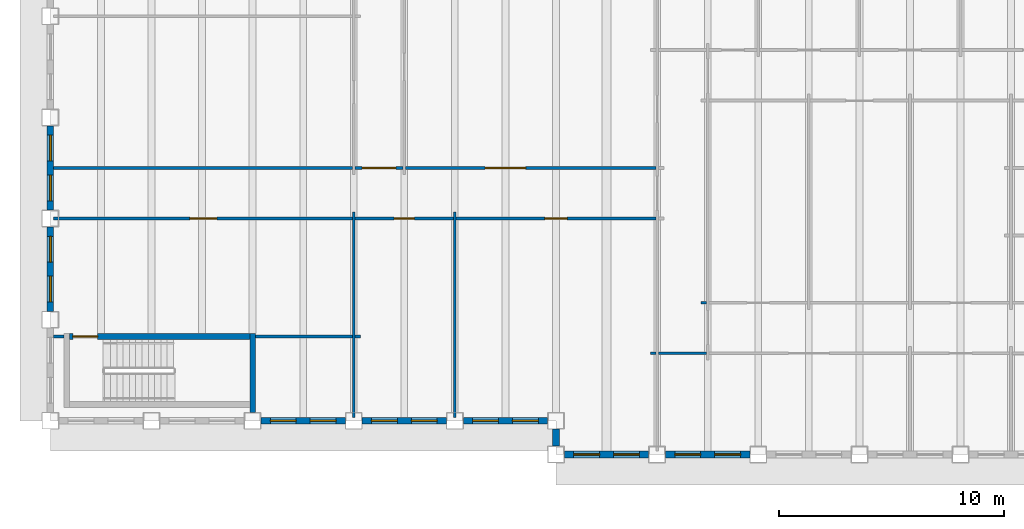
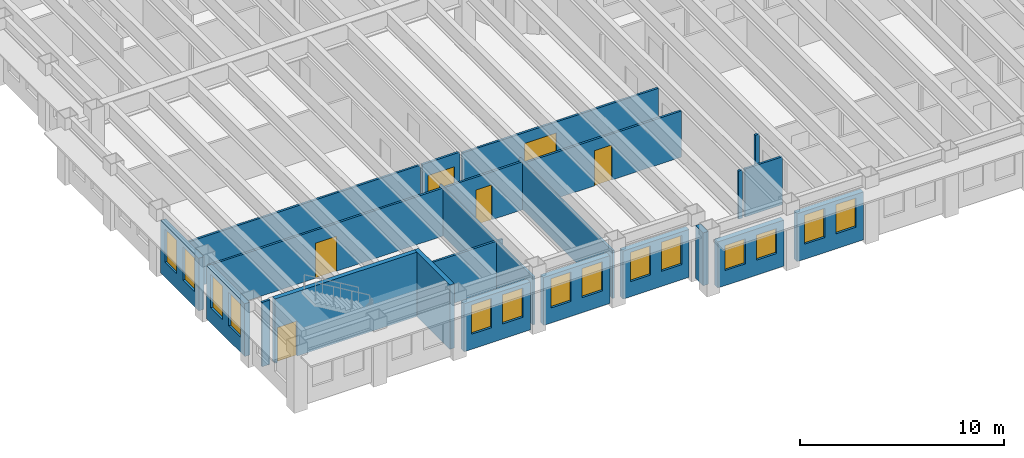
# One storey, part 3 of 16: 24 walls, 14 windows, 6 doors, 20 openings.
"""IFC4 building model written with IfcOpenShell, lengths in metres."""

from ifc_helpers import new_model, si_unit, direction, frame, frame_2d, origin, place, context, subcontext, project, spatial, rectangle, extrude, material, layer, layer_set, type_object, element, fill, save


model = new_model("IFC4")

# Units and contexts
model_context = context("Model", 3, precision=1e-05, world=origin(), true_north=direction((0.0, 1.0)))
body_context = subcontext(model_context, "Body", "Model", "MODEL_VIEW")
ifc_project = project(units=[si_unit("LENGTHUNIT", "METRE"), si_unit("AREAUNIT", "SQUARE_METRE"), si_unit("VOLUMEUNIT", "CUBIC_METRE"), si_unit("PLANEANGLEUNIT", "RADIAN"), si_unit("MASSUNIT", "GRAM", prefix="KILO")], contexts=[model_context])

# Site, building, storey
site_placement = place(None, origin())
site = spatial("IfcSite", under=ifc_project, at=site_placement, CompositionType="ELEMENT")
building_placement = place(site_placement, origin())
building = spatial("IfcBuilding", under=site, at=building_placement, Name="Sennacour Bend Tower", CompositionType="ELEMENT")
storey_placement = place(building_placement, frame((0.0, 0.0, 231.0)))
storey = spatial("IfcBuildingStorey", under=building, at=storey_placement, Name="L53", CompositionType="ELEMENT", Elevation=231.0)

# Walls
ifc_material_1 = material(Name="Plasterboard partition on steel studs", Category="steel")
ifc_layer_1 = layer(ifc_material_1, 0.1201171875, Name="Plasterboard partition on steel studs", Category="steel")
ifc_layer_set_1 = layer_set([ifc_layer_1], Name="Plasterboard partition on steel studs")
wall_type_1 = type_object("IfcWallType", Name="Partition 120", PredefinedType="PARTITIONING", material=ifc_layer_set_1)
for number, where, z_axis, x_axis, name in (
    (1, (13.5, 0.14990234375, 0.0), (0.0, 0.0, 1.0), (0.0, 1.0, 0.0), "P-L53-W015a"),
    (2, (18.0, 0.14990234375, 0.0), (0.0, 0.0, 1.0), (0.0, 1.0, 0.0), "P-L53-W020a"),
):
    element("IfcWall", number, at=place(storey_placement, frame(where, z_axis=z_axis, x_axis=x_axis)), inside=storey, type_object=wall_type_1, Name=name, PredefinedType="PARTITIONING", context=body_context, shape_type="SweptSolid", body=[
        extrude(rectangle(XDim=9.150146484375, YDim=0.1201171875, at=frame_2d((4.5751953125, 0.0))), origin(), (0.0, 0.0, 1.0), 2.8701171875),
    ])
wall_1_placement = place(storey_placement, frame((26.699951171875, 3.0, 0.0), z_axis=(0.0, 0.0, 1.0), x_axis=(1.0, 0.0, 0.0)))
element("IfcWall", 3, at=wall_1_placement, inside=storey, type_object=wall_type_1, Name="P-L53-W053aa", PredefinedType="PARTITIONING", context=body_context, shape_type="SweptSolid", body=[
    extrude(rectangle(XDim=0.239990234375, YDim=0.1201171875, at=frame_2d((0.1201171875, 0.0))), origin(), (0.0, 0.0, 1.0), 2.8701171875),
])
wall_2_placement = place(storey_placement, frame((27.06005859375, 3.0, 0.0), z_axis=(0.0, 0.0, 1.0), x_axis=(1.0, 0.0, 0.0)))
element("IfcWall", 4, at=wall_2_placement, inside=storey, type_object=wall_type_1, Name="P-L53-W053ab", PredefinedType="PARTITIONING", context=body_context, shape_type="SweptSolid", body=[
    extrude(rectangle(XDim=2.1298828125, YDim=0.1201171875, at=frame_2d((1.06494140625, 0.0))), origin(), (0.0, 0.0, 1.0), 2.8701171875),
])
wall_3_placement = place(storey_placement, frame((0.14990234375, 3.75, 0.0), z_axis=(0.0, 0.0, 1.0), x_axis=(1.0, 0.0, 0.0)))
element("IfcWall", 5, at=wall_3_placement, inside=storey, type_object=wall_type_1, Name="P-L53-W054a", PredefinedType="PARTITIONING", context=body_context, shape_type="SweptSolid", body=[
    extrude(rectangle(XDim=0.4501953125, YDim=0.1201171875, at=frame_2d((0.22509765625, 0.0))), origin(), (0.0, 0.0, 1.0), 3.85009765625),
])
wall_4_placement = place(storey_placement, frame((9.125, 3.75, 0.0), z_axis=(0.0, 0.0, 1.0), x_axis=(1.0, 0.0, 0.0)))
element("IfcWall", 6, at=wall_4_placement, inside=storey, type_object=wall_type_1, Name="P-L53-W056aa", PredefinedType="PARTITIONING", context=body_context, shape_type="SweptSolid", body=[
    extrude(rectangle(XDim=4.31494140625, YDim=0.1201171875, at=frame_2d((2.157470703125, 0.0))), origin(), (0.0, 0.0, 1.0), 2.8701171875),
])
for number, where, z_axis, x_axis, name in (
    (7, (13.56005859375, 3.75, 0.0), (0.0, 0.0, 1.0), (1.0, 0.0, 0.0), "P-L53-W056ab"),
    (8, (28.949951171875, 5.25, 0.0), (0.0, 0.0, 1.0), (1.0, 0.0, 0.0), "P-L53-W059aa"),
):
    element("IfcWall", number, at=place(storey_placement, frame(where, z_axis=z_axis, x_axis=x_axis)), inside=storey, type_object=wall_type_1, Name=name, PredefinedType="PARTITIONING", context=body_context, shape_type="SweptSolid", body=[
        extrude(rectangle(XDim=0.239990234375, YDim=0.1201171875, at=frame_2d((0.1201171875, 0.0))), origin(), (0.0, 0.0, 1.0), 2.8701171875),
    ])

# Wall, opening, door
wall_5_placement = place(storey_placement, frame((18.06005859375, 9.0, 0.0), z_axis=(0.0, 0.0, 1.0), x_axis=(1.0, 0.0, 0.0)))
wall_5 = element("IfcWall", 9, at=wall_5_placement, inside=storey, type_object=wall_type_1, Name="P-L53-W062ac", PredefinedType="PARTITIONING", context=body_context, shape_type="SweptSolid", body=[
    extrude(rectangle(XDim=8.8798828125, YDim=0.1201171875, at=frame_2d((4.43994140625, 0.0))), origin(), (0.0, 0.0, 1.0), 2.760009765625),
])
opening_1_placement = place(wall_5_placement, frame((3.93994140625, 0.0, 0.0)))
opening_1 = element("IfcOpeningElement", 10, at=opening_1_placement, cuts=wall_5, Name="Opening OD2", PredefinedType="OPENING", context=body_context, shape_type="SweptSolid", body=[
    extrude(rectangle(XDim=1.0, YDim=2.10009765625, at=frame_2d((0.5, 1.050048828125))), frame((0.0, 0.070068359375, 0.0), z_axis=(0.0, -1.0, 0.0), x_axis=(1.0, 0.0, 0.0)), (0.0, 0.0, 1.0), 0.14013671875),
])
ifc_material_2 = material(Name="Timber", Category="wood")
door_type_1 = type_object("IfcDoorType", Name="DR-OFFICE-1000", OperationType="NOTDEFINED", PredefinedType="DOOR", material=ifc_material_2)
door_1_placement = place(opening_1_placement, origin())
door_1 = element("IfcDoor", 11, at=door_1_placement, inside=storey, type_object=door_type_1, Name="Door", OperationType="SINGLE_SWING_LEFT", OverallHeight=2.10009765625, OverallWidth=1.0, PredefinedType="DOOR", context=body_context, shape_type="SweptSolid", body=[
    extrude(rectangle(XDim=1.0, YDim=2.10009765625, at=frame_2d((0.5, 1.050048828125))), frame((0.0, 0.02490234375, 0.0), z_axis=(0.0, -1.0, 0.0), x_axis=(1.0, 0.0, 0.0)), (0.0, 0.0, 1.0), 0.050048828125),
])
fill(opening_1, door_1)

# Wall
wall_6_placement = place(storey_placement, frame((0.14990234375, 11.25, 0.0), z_axis=(0.0, 0.0, 1.0), x_axis=(1.0, 0.0, 0.0)))
element("IfcWall", 12, at=wall_6_placement, inside=storey, type_object=wall_type_1, Name="P-L53-W065aa", PredefinedType="PARTITIONING", context=body_context, shape_type="SweptSolid", body=[
    extrude(rectangle(XDim=13.2900390625, YDim=0.1201171875, at=frame_2d((6.64501953125, 0.0))), origin(), (0.0, 0.0, 1.0), 2.8701171875),
])

# Wall, opening, door
wall_7_placement = place(storey_placement, frame((15.81005859375, 11.25, 0.0), z_axis=(0.0, 0.0, 1.0), x_axis=(1.0, 0.0, 0.0)))
wall_7 = element("IfcWall", 13, at=wall_7_placement, inside=storey, type_object=wall_type_1, Name="P-L53-W065ac", PredefinedType="PARTITIONING", context=body_context, shape_type="SweptSolid", body=[
    extrude(rectangle(XDim=11.1298828125, YDim=0.1201171875, at=frame_2d((5.56494140625, 0.0))), origin(), (0.0, 0.0, 1.0), 2.760009765625),
])
opening_2_placement = place(wall_7_placement, frame((3.539794921875, 0.0, 0.0)))
opening_2 = element("IfcOpeningElement", 14, at=opening_2_placement, cuts=wall_7, Name="Opening OD3", PredefinedType="OPENING", context=body_context, shape_type="SweptSolid", body=[
    extrude(rectangle(XDim=1.800048828125, YDim=2.10009765625, at=frame_2d((0.89990234375, 1.050048828125))), frame((0.0, 0.070068359375, 0.0), z_axis=(0.0, -1.0, 0.0), x_axis=(1.0, 0.0, 0.0)), (0.0, 0.0, 1.0), 0.14013671875),
])
door_type_2 = type_object("IfcDoorType", Name="DR-OFFICE-1800", OperationType="NOTDEFINED", PredefinedType="DOOR", material=ifc_material_2)
door_2_placement = place(opening_2_placement, origin())
door_2 = element("IfcDoor", 15, at=door_2_placement, inside=storey, type_object=door_type_2, Name="Door", OperationType="DOUBLE_DOOR_SINGLE_SWING", OverallHeight=2.10009765625, OverallWidth=1.800048828125, PredefinedType="DOOR", context=body_context, shape_type="SweptSolid", body=[
    extrude(rectangle(XDim=1.800048828125, YDim=2.10009765625, at=frame_2d((0.89990234375, 1.050048828125))), frame((0.0, 0.02490234375, 0.0), z_axis=(0.0, -1.0, 0.0), x_axis=(1.0, 0.0, 0.0)), (0.0, 0.0, 1.0), 0.050048828125),
])
fill(opening_2, door_2)

ifc_layer_2 = layer(ifc_material_1, 0.1201171875, Name="Plasterboard partition on steel studs", Category="steel")
ifc_layer_set_2 = layer_set([ifc_layer_2], Name="Plasterboard partition on steel studs")
wall_type_2 = type_object("IfcWallType", Name="Partition 120 EI 30", PredefinedType="PARTITIONING", material=ifc_layer_set_2)
wall_8_placement = place(storey_placement, frame((0.14990234375, 9.0, 0.0), z_axis=(0.0, 0.0, 1.0), x_axis=(1.0, 0.0, 0.0)))
wall_8 = element("IfcWall", 16, at=wall_8_placement, inside=storey, type_object=wall_type_2, Name="P-L53-W062aa", PredefinedType="PARTITIONING", context=body_context, shape_type="SweptSolid", body=[
    extrude(rectangle(XDim=13.2900390625, YDim=0.1201171875, at=frame_2d((6.64501953125, 0.0))), origin(), (0.0, 0.0, 1.0), 2.8701171875),
])
opening_3_placement = place(wall_8_placement, frame((6.05517578125, 0.0, 0.0)))
opening_3 = element("IfcOpeningElement", 17, at=opening_3_placement, cuts=wall_8, Name="Opening KD2", PredefinedType="OPENING", context=body_context, shape_type="SweptSolid", body=[
    extrude(rectangle(XDim=1.199951171875, YDim=2.10009765625, at=frame_2d((0.60009765625, 1.050048828125))), frame((0.0, 0.070068359375, 0.0), z_axis=(0.0, -1.0, 0.0), x_axis=(1.0, 0.0, 0.0)), (0.0, 0.0, 1.0), 0.14013671875),
])
ifc_material_3 = material(Name="Painted steel", Category="steel")
door_type_3 = type_object("IfcDoorType", Name="DR-CORRIDOR-1200", OperationType="NOTDEFINED", PredefinedType="DOOR", material=ifc_material_3)
door_3_placement = place(opening_3_placement, origin())
door_3 = element("IfcDoor", 18, at=door_3_placement, inside=storey, type_object=door_type_3, Name="Door", OperationType="SINGLE_SWING_LEFT", OverallHeight=2.10009765625, OverallWidth=1.199951171875, PredefinedType="DOOR", context=body_context, shape_type="SweptSolid", body=[
    extrude(rectangle(XDim=1.199951171875, YDim=2.10009765625, at=frame_2d((0.60009765625, 1.050048828125))), frame((0.0, 0.02490234375, 0.0), z_axis=(0.0, -1.0, 0.0), x_axis=(1.0, 0.0, 0.0)), (0.0, 0.0, 1.0), 0.050048828125),
])
fill(opening_3, door_3)

wall_9_placement = place(storey_placement, frame((13.56005859375, 11.25, 0.0), z_axis=(0.0, 0.0, 1.0), x_axis=(1.0, 0.0, 0.0)))
wall_9 = element("IfcWall", 19, at=wall_9_placement, inside=storey, type_object=wall_type_2, Name="P-L53-W065ab", PredefinedType="PARTITIONING", context=body_context, shape_type="SweptSolid", body=[
    extrude(rectangle(XDim=2.1298828125, YDim=0.1201171875, at=frame_2d((1.06494140625, 0.0))), origin(), (0.0, 0.0, 1.0), 2.8701171875),
])
opening_4_placement = place(wall_9_placement, frame((0.31494140625, 0.0, 0.0)))
opening_4 = element("IfcOpeningElement", 20, at=opening_4_placement, cuts=wall_9, Name="Opening KD", PredefinedType="OPENING", context=body_context, shape_type="SweptSolid", body=[
    extrude(rectangle(XDim=1.5, YDim=2.10009765625, at=frame_2d((0.75, 1.050048828125))), frame((0.0, 0.070068359375, 0.0), z_axis=(0.0, -1.0, 0.0), x_axis=(1.0, 0.0, 0.0)), (0.0, 0.0, 1.0), 0.14013671875),
])
door_type_4 = type_object("IfcDoorType", Name="DR-CORRIDOR-1500", OperationType="NOTDEFINED", PredefinedType="DOOR", material=ifc_material_3)
door_4_placement = place(opening_4_placement, origin())
door_4 = element("IfcDoor", 21, at=door_4_placement, inside=storey, type_object=door_type_4, Name="Door", OperationType="SINGLE_SWING_LEFT", OverallHeight=2.10009765625, OverallWidth=1.5, PredefinedType="DOOR", context=body_context, shape_type="SweptSolid", body=[
    extrude(rectangle(XDim=1.5, YDim=2.10009765625, at=frame_2d((0.75, 1.050048828125))), frame((0.0, 0.02490234375, 0.0), z_axis=(0.0, -1.0, 0.0), x_axis=(1.0, 0.0, 0.0)), (0.0, 0.0, 1.0), 0.050048828125),
])
fill(opening_4, door_4)

ifc_layer_3 = layer(ifc_material_1, 0.1201171875, Name="Plasterboard partition on steel studs", Category="steel")
ifc_layer_set_3 = layer_set([ifc_layer_3], Name="Plasterboard partition on steel studs")
wall_type_3 = type_object("IfcWallType", Name="Partition 120 EI 60", PredefinedType="PARTITIONING", material=ifc_layer_set_3)
wall_10_placement = place(storey_placement, frame((13.56005859375, 9.0, 0.0), z_axis=(0.0, 0.0, 1.0), x_axis=(1.0, 0.0, 0.0)))
wall_10 = element("IfcWall", 22, at=wall_10_placement, inside=storey, type_object=wall_type_3, Name="P-L53-W062ab", PredefinedType="PARTITIONING", context=body_context, shape_type="SweptSolid", body=[
    extrude(rectangle(XDim=4.3798828125, YDim=0.1201171875, at=frame_2d((2.18994140625, 0.0))), origin(), (0.0, 0.0, 1.0), 2.8701171875),
])
opening_5_placement = place(wall_10_placement, frame((1.739990234375, 0.0, 0.0)))
opening_5 = element("IfcOpeningElement", 23, at=opening_5_placement, cuts=wall_10, Name="Opening SV", PredefinedType="OPENING", context=body_context, shape_type="SweptSolid", body=[
    extrude(rectangle(XDim=0.89990234375, YDim=2.10009765625, at=frame_2d((0.449951171875, 1.050048828125))), frame((0.0, 0.070068359375, 0.0), z_axis=(0.0, -1.0, 0.0), x_axis=(1.0, 0.0, 0.0)), (0.0, 0.0, 1.0), 0.14013671875),
])
door_type_5 = type_object("IfcDoorType", Name="DR-SERVICE-900", OperationType="NOTDEFINED", PredefinedType="DOOR", material=ifc_material_3)
door_5_placement = place(opening_5_placement, origin())
door_5 = element("IfcDoor", 24, at=door_5_placement, inside=storey, type_object=door_type_5, Name="Door", OperationType="SINGLE_SWING_LEFT", OverallHeight=2.10009765625, OverallWidth=0.89990234375, PredefinedType="DOOR", context=body_context, shape_type="SweptSolid", body=[
    extrude(rectangle(XDim=0.89990234375, YDim=2.10009765625, at=frame_2d((0.449951171875, 1.050048828125))), frame((0.0, 0.02490234375, 0.0), z_axis=(0.0, -1.0, 0.0), x_axis=(1.0, 0.0, 0.0)), (0.0, 0.0, 1.0), 0.050048828125),
])
fill(opening_5, door_5)

# Wall, openings, windows
ifc_material_4 = material(Name="Warm limestone cladding", Category="masonry")
ifc_layer_4 = layer(ifc_material_4, 0.050048828125, Name="Warm limestone cladding", Category="masonry")
ifc_material_5 = material(Name="Precast concrete C40/50", Category="concrete")
ifc_layer_5 = layer(ifc_material_5, 0.25, Name="Precast concrete C40/50", Category="concrete")
ifc_layer_set_4 = layer_set([ifc_layer_4, ifc_layer_5], Name="Precast concrete C40/50 with limestone cladding")
wall_type_4 = type_object("IfcWallType", Name="STONE-CLAD PRECAST SPANDREL 300", PredefinedType="STANDARD", material=ifc_layer_set_4)
wall_11_placement = place(storey_placement, frame((22.875, -1.5, 0.0), z_axis=(0.0, 0.0, 1.0), x_axis=(1.0, 0.0, 0.0)))
wall_11 = element("IfcWall", 25, at=wall_11_placement, inside=storey, type_object=wall_type_4, Name="Stone spandrel and pier wall L53 00.00", PredefinedType="STANDARD", context=body_context, shape_type="SweptSolid", body=[
    extrude(rectangle(XDim=3.75, YDim=0.300048828125, at=frame_2d((1.875, 0.0))), origin(), (0.0, 0.0, 1.0), 2.760009765625),
])
opening_6_placement = place(wall_11_placement, frame((0.41259765625, 0.0, 0.89990234375)))
opening_6 = element("IfcOpeningElement", 26, at=opening_6_placement, cuts=wall_11, Name="Opening W22", PredefinedType="OPENING", context=body_context, shape_type="SweptSolid", body=[
    extrude(rectangle(XDim=1.14990234375, YDim=1.5, at=frame_2d((0.574951171875, 0.75))), frame((0.0, 0.16015625, 0.0), z_axis=(0.0, -1.0, 0.0), x_axis=(1.0, 0.0, 0.0)), (0.0, 0.0, 1.0), 0.320068359375),
])
opening_7_placement = place(wall_11_placement, frame((2.1875, 0.0, 0.89990234375)))
opening_7 = element("IfcOpeningElement", 27, at=opening_7_placement, cuts=wall_11, Name="Opening W22", PredefinedType="OPENING", context=body_context, shape_type="SweptSolid", body=[
    extrude(rectangle(XDim=1.14990234375, YDim=1.5, at=frame_2d((0.574951171875, 0.75))), frame((0.0, 0.16015625, 0.0), z_axis=(0.0, -1.0, 0.0), x_axis=(1.0, 0.0, 0.0)), (0.0, 0.0, 1.0), 0.320068359375),
])
ifc_material_6 = material(Name="Clear low-emissivity glass", Category="glass")
window_type_1 = type_object("IfcWindowType", Name="WIN-RIBBON-1150x1500", PartitioningType="SINGLE_PANEL", PredefinedType="WINDOW", material=ifc_material_6)
window_1_placement = place(opening_6_placement, origin())
window_1 = element("IfcWindow", 28, at=window_1_placement, inside=storey, type_object=window_type_1, Name="Ribbon window L53 00.00.0", OverallHeight=1.5, OverallWidth=1.14990234375, PartitioningType="SINGLE_PANEL", PredefinedType="WINDOW", context=body_context, shape_type="SweptSolid", body=[
    extrude(rectangle(XDim=1.14990234375, YDim=1.5, at=frame_2d((0.574951171875, 0.75))), frame((0.0, 0.030029296875, 0.0), z_axis=(0.0, -1.0, 0.0), x_axis=(1.0, 0.0, 0.0)), (0.0, 0.0, 1.0), 0.06005859375),
])
fill(opening_6, window_1)
window_2_placement = place(opening_7_placement, origin())
window_2 = element("IfcWindow", 29, at=window_2_placement, inside=storey, type_object=window_type_1, Name="Ribbon window L53 00.00.1", OverallHeight=1.5, OverallWidth=1.14990234375, PartitioningType="SINGLE_PANEL", PredefinedType="WINDOW", context=body_context, shape_type="SweptSolid", body=[
    extrude(rectangle(XDim=1.14990234375, YDim=1.5, at=frame_2d((0.574951171875, 0.75))), frame((0.0, 0.030029296875, 0.0), z_axis=(0.0, -1.0, 0.0), x_axis=(1.0, 0.0, 0.0)), (0.0, 0.0, 1.0), 0.06005859375),
])
fill(opening_7, window_2)

wall_12_placement = place(storey_placement, frame((27.375, -1.5, 0.0), z_axis=(0.0, 0.0, 1.0), x_axis=(1.0, 0.0, 0.0)))
wall_12 = element("IfcWall", 30, at=wall_12_placement, inside=storey, type_object=wall_type_4, Name="Stone spandrel and pier wall L53 00.01", PredefinedType="STANDARD", context=body_context, shape_type="SweptSolid", body=[
    extrude(rectangle(XDim=3.75, YDim=0.300048828125, at=frame_2d((1.875, 0.0))), origin(), (0.0, 0.0, 1.0), 2.8701171875),
])
opening_8_placement = place(wall_12_placement, frame((0.41259765625, 0.0, 0.89990234375)))
opening_8 = element("IfcOpeningElement", 31, at=opening_8_placement, cuts=wall_12, Name="Opening W23", PredefinedType="OPENING", context=body_context, shape_type="SweptSolid", body=[
    extrude(rectangle(XDim=1.14990234375, YDim=1.75, at=frame_2d((0.574951171875, 0.875))), frame((0.0, 0.16015625, 0.0), z_axis=(0.0, -1.0, 0.0), x_axis=(1.0, 0.0, 0.0)), (0.0, 0.0, 1.0), 0.320068359375),
])
opening_9_placement = place(wall_12_placement, frame((2.1875, 0.0, 0.89990234375)))
opening_9 = element("IfcOpeningElement", 32, at=opening_9_placement, cuts=wall_12, Name="Opening W23", PredefinedType="OPENING", context=body_context, shape_type="SweptSolid", body=[
    extrude(rectangle(XDim=1.14990234375, YDim=1.75, at=frame_2d((0.574951171875, 0.875))), frame((0.0, 0.16015625, 0.0), z_axis=(0.0, -1.0, 0.0), x_axis=(1.0, 0.0, 0.0)), (0.0, 0.0, 1.0), 0.320068359375),
])
window_type_2 = type_object("IfcWindowType", Name="WIN-RIBBON-1150x1750", PartitioningType="SINGLE_PANEL", PredefinedType="WINDOW", material=ifc_material_6)
window_3_placement = place(opening_8_placement, origin())
window_3 = element("IfcWindow", 33, at=window_3_placement, inside=storey, type_object=window_type_2, Name="Ribbon window L53 00.01.0", OverallHeight=1.75, OverallWidth=1.14990234375, PartitioningType="SINGLE_PANEL", PredefinedType="WINDOW", context=body_context, shape_type="SweptSolid", body=[
    extrude(rectangle(XDim=1.14990234375, YDim=1.75, at=frame_2d((0.574951171875, 0.875))), frame((0.0, 0.030029296875, 0.0), z_axis=(0.0, -1.0, 0.0), x_axis=(1.0, 0.0, 0.0)), (0.0, 0.0, 1.0), 0.06005859375),
])
fill(opening_8, window_3)
window_4_placement = place(opening_9_placement, origin())
window_4 = element("IfcWindow", 34, at=window_4_placement, inside=storey, type_object=window_type_2, Name="Ribbon window L53 00.01.1", OverallHeight=1.75, OverallWidth=1.14990234375, PartitioningType="SINGLE_PANEL", PredefinedType="WINDOW", context=body_context, shape_type="SweptSolid", body=[
    extrude(rectangle(XDim=1.14990234375, YDim=1.75, at=frame_2d((0.574951171875, 0.875))), frame((0.0, 0.030029296875, 0.0), z_axis=(0.0, -1.0, 0.0), x_axis=(1.0, 0.0, 0.0)), (0.0, 0.0, 1.0), 0.06005859375),
])
fill(opening_9, window_4)

wall_13_placement = place(storey_placement, frame((0.0, 13.125, 0.0), z_axis=(0.0, 0.0, 1.0), x_axis=(0.0, -1.0, 0.0)))
wall_13 = element("IfcWall", 35, at=wall_13_placement, inside=storey, type_object=wall_type_4, Name="Stone spandrel and pier wall L53 21.02", PredefinedType="STANDARD", context=body_context, shape_type="SweptSolid", body=[
    extrude(rectangle(XDim=3.75, YDim=0.300048828125, at=frame_2d((1.875, 0.0))), origin(), (0.0, 0.0, 1.0), 3.156982421875),
])
opening_10_placement = place(wall_13_placement, frame((0.41259765625, 0.0, 0.89990234375)))
opening_10 = element("IfcOpeningElement", 36, at=opening_10_placement, cuts=wall_13, Name="Opening W24", PredefinedType="OPENING", context=body_context, shape_type="SweptSolid", body=[
    extrude(rectangle(XDim=1.14990234375, YDim=2.0, at=frame_2d((0.574951171875, 1.0))), frame((0.0, 0.16015625, 0.0), z_axis=(0.0, -1.0, 0.0), x_axis=(1.0, 0.0, 0.0)), (0.0, 0.0, 1.0), 0.320068359375),
])
opening_11_placement = place(wall_13_placement, frame((2.1875, 0.0, 0.89990234375)))
opening_11 = element("IfcOpeningElement", 37, at=opening_11_placement, cuts=wall_13, Name="Opening W24", PredefinedType="OPENING", context=body_context, shape_type="SweptSolid", body=[
    extrude(rectangle(XDim=1.14990234375, YDim=2.0, at=frame_2d((0.574951171875, 1.0))), frame((0.0, 0.16015625, 0.0), z_axis=(0.0, -1.0, 0.0), x_axis=(1.0, 0.0, 0.0)), (0.0, 0.0, 1.0), 0.320068359375),
])
window_type_3 = type_object("IfcWindowType", Name="WIN-RIBBON-1150x2000", PartitioningType="SINGLE_PANEL", PredefinedType="WINDOW", material=ifc_material_6)
window_5_placement = place(opening_10_placement, origin())
window_5 = element("IfcWindow", 38, at=window_5_placement, inside=storey, type_object=window_type_3, Name="Ribbon window L53 21.02.0", OverallHeight=2.0, OverallWidth=1.14990234375, PartitioningType="SINGLE_PANEL", PredefinedType="WINDOW", context=body_context, shape_type="SweptSolid", body=[
    extrude(rectangle(XDim=1.14990234375, YDim=2.0, at=frame_2d((0.574951171875, 1.0))), frame((0.0, 0.030029296875, 0.0), z_axis=(0.0, -1.0, 0.0), x_axis=(1.0, 0.0, 0.0)), (0.0, 0.0, 1.0), 0.06005859375),
])
fill(opening_10, window_5)
window_6_placement = place(opening_11_placement, origin())
window_6 = element("IfcWindow", 39, at=window_6_placement, inside=storey, type_object=window_type_3, Name="Ribbon window L53 21.02.1", OverallHeight=2.0, OverallWidth=1.14990234375, PartitioningType="SINGLE_PANEL", PredefinedType="WINDOW", context=body_context, shape_type="SweptSolid", body=[
    extrude(rectangle(XDim=1.14990234375, YDim=2.0, at=frame_2d((0.574951171875, 1.0))), frame((0.0, 0.030029296875, 0.0), z_axis=(0.0, -1.0, 0.0), x_axis=(1.0, 0.0, 0.0)), (0.0, 0.0, 1.0), 0.06005859375),
])
fill(opening_11, window_6)

wall_14_placement = place(storey_placement, frame((0.0, 8.625, 0.0), z_axis=(0.0, 0.0, 1.0), x_axis=(0.0, -1.0, 0.0)))
wall_14 = element("IfcWall", 40, at=wall_14_placement, inside=storey, type_object=wall_type_4, Name="Stone spandrel and pier wall L53 21.03", PredefinedType="STANDARD", context=body_context, shape_type="SweptSolid", body=[
    extrude(rectangle(XDim=3.75, YDim=0.300048828125, at=frame_2d((1.875, 0.0))), origin(), (0.0, 0.0, 1.0), 3.156982421875),
])
opening_12_placement = place(wall_14_placement, frame((0.41259765625, 0.0, 0.89990234375)))
opening_12 = element("IfcOpeningElement", 41, at=opening_12_placement, cuts=wall_14, Name="Opening W24", PredefinedType="OPENING", context=body_context, shape_type="SweptSolid", body=[
    extrude(rectangle(XDim=1.14990234375, YDim=2.0, at=frame_2d((0.574951171875, 1.0))), frame((0.0, 0.16015625, 0.0), z_axis=(0.0, -1.0, 0.0), x_axis=(1.0, 0.0, 0.0)), (0.0, 0.0, 1.0), 0.320068359375),
])
opening_13_placement = place(wall_14_placement, frame((2.1875, 0.0, 0.89990234375)))
opening_13 = element("IfcOpeningElement", 42, at=opening_13_placement, cuts=wall_14, Name="Opening W24", PredefinedType="OPENING", context=body_context, shape_type="SweptSolid", body=[
    extrude(rectangle(XDim=1.14990234375, YDim=2.0, at=frame_2d((0.574951171875, 1.0))), frame((0.0, 0.16015625, 0.0), z_axis=(0.0, -1.0, 0.0), x_axis=(1.0, 0.0, 0.0)), (0.0, 0.0, 1.0), 0.320068359375),
])
window_7_placement = place(opening_12_placement, origin())
window_7 = element("IfcWindow", 43, at=window_7_placement, inside=storey, type_object=window_type_3, Name="Ribbon window L53 21.03.0", OverallHeight=2.0, OverallWidth=1.14990234375, PartitioningType="SINGLE_PANEL", PredefinedType="WINDOW", context=body_context, shape_type="SweptSolid", body=[
    extrude(rectangle(XDim=1.14990234375, YDim=2.0, at=frame_2d((0.574951171875, 1.0))), frame((0.0, 0.030029296875, 0.0), z_axis=(0.0, -1.0, 0.0), x_axis=(1.0, 0.0, 0.0)), (0.0, 0.0, 1.0), 0.06005859375),
])
fill(opening_12, window_7)
window_8_placement = place(opening_13_placement, origin())
window_8 = element("IfcWindow", 44, at=window_8_placement, inside=storey, type_object=window_type_3, Name="Ribbon window L53 21.03.1", OverallHeight=2.0, OverallWidth=1.14990234375, PartitioningType="SINGLE_PANEL", PredefinedType="WINDOW", context=body_context, shape_type="SweptSolid", body=[
    extrude(rectangle(XDim=1.14990234375, YDim=2.0, at=frame_2d((0.574951171875, 1.0))), frame((0.0, 0.030029296875, 0.0), z_axis=(0.0, -1.0, 0.0), x_axis=(1.0, 0.0, 0.0)), (0.0, 0.0, 1.0), 0.06005859375),
])
fill(opening_13, window_8)

wall_15_placement = place(storey_placement, frame((9.375, 0.0, 0.0), z_axis=(0.0, 0.0, 1.0), x_axis=(1.0, 0.0, 0.0)))
wall_15 = element("IfcWall", 45, at=wall_15_placement, inside=storey, type_object=wall_type_4, Name="Stone spandrel and pier wall L53 22.02", PredefinedType="STANDARD", context=body_context, shape_type="SweptSolid", body=[
    extrude(rectangle(XDim=3.75, YDim=0.300048828125, at=frame_2d((1.875, 0.0))), origin(), (0.0, 0.0, 1.0), 2.8701171875),
])
opening_14_placement = place(wall_15_placement, frame((0.41259765625, 0.0, 0.89990234375)))
opening_14 = element("IfcOpeningElement", 46, at=opening_14_placement, cuts=wall_15, Name="Opening W23", PredefinedType="OPENING", context=body_context, shape_type="SweptSolid", body=[
    extrude(rectangle(XDim=1.14990234375, YDim=1.75, at=frame_2d((0.574951171875, 0.875))), frame((0.0, 0.16015625, 0.0), z_axis=(0.0, -1.0, 0.0), x_axis=(1.0, 0.0, 0.0)), (0.0, 0.0, 1.0), 0.320068359375),
])
opening_15_placement = place(wall_15_placement, frame((2.1875, 0.0, 0.89990234375)))
opening_15 = element("IfcOpeningElement", 47, at=opening_15_placement, cuts=wall_15, Name="Opening W23", PredefinedType="OPENING", context=body_context, shape_type="SweptSolid", body=[
    extrude(rectangle(XDim=1.14990234375, YDim=1.75, at=frame_2d((0.574951171875, 0.875))), frame((0.0, 0.16015625, 0.0), z_axis=(0.0, -1.0, 0.0), x_axis=(1.0, 0.0, 0.0)), (0.0, 0.0, 1.0), 0.320068359375),
])
window_9_placement = place(opening_14_placement, origin())
window_9 = element("IfcWindow", 48, at=window_9_placement, inside=storey, type_object=window_type_2, Name="Ribbon window L53 22.02.0", OverallHeight=1.75, OverallWidth=1.14990234375, PartitioningType="SINGLE_PANEL", PredefinedType="WINDOW", context=body_context, shape_type="SweptSolid", body=[
    extrude(rectangle(XDim=1.14990234375, YDim=1.75, at=frame_2d((0.574951171875, 0.875))), frame((0.0, 0.030029296875, 0.0), z_axis=(0.0, -1.0, 0.0), x_axis=(1.0, 0.0, 0.0)), (0.0, 0.0, 1.0), 0.06005859375),
])
fill(opening_14, window_9)
window_10_placement = place(opening_15_placement, origin())
window_10 = element("IfcWindow", 49, at=window_10_placement, inside=storey, type_object=window_type_2, Name="Ribbon window L53 22.02.1", OverallHeight=1.75, OverallWidth=1.14990234375, PartitioningType="SINGLE_PANEL", PredefinedType="WINDOW", context=body_context, shape_type="SweptSolid", body=[
    extrude(rectangle(XDim=1.14990234375, YDim=1.75, at=frame_2d((0.574951171875, 0.875))), frame((0.0, 0.030029296875, 0.0), z_axis=(0.0, -1.0, 0.0), x_axis=(1.0, 0.0, 0.0)), (0.0, 0.0, 1.0), 0.06005859375),
])
fill(opening_15, window_10)

wall_16_placement = place(storey_placement, frame((13.875, 0.0, 0.0), z_axis=(0.0, 0.0, 1.0), x_axis=(1.0, 0.0, 0.0)))
wall_16 = element("IfcWall", 50, at=wall_16_placement, inside=storey, type_object=wall_type_4, Name="Stone spandrel and pier wall L53 22.03", PredefinedType="STANDARD", context=body_context, shape_type="SweptSolid", body=[
    extrude(rectangle(XDim=3.75, YDim=0.300048828125, at=frame_2d((1.875, 0.0))), origin(), (0.0, 0.0, 1.0), 2.8701171875),
])
opening_16_placement = place(wall_16_placement, frame((0.41259765625, 0.0, 0.89990234375)))
opening_16 = element("IfcOpeningElement", 51, at=opening_16_placement, cuts=wall_16, Name="Opening W23", PredefinedType="OPENING", context=body_context, shape_type="SweptSolid", body=[
    extrude(rectangle(XDim=1.14990234375, YDim=1.75, at=frame_2d((0.574951171875, 0.875))), frame((0.0, 0.16015625, 0.0), z_axis=(0.0, -1.0, 0.0), x_axis=(1.0, 0.0, 0.0)), (0.0, 0.0, 1.0), 0.320068359375),
])
opening_17_placement = place(wall_16_placement, frame((2.1875, 0.0, 0.89990234375)))
opening_17 = element("IfcOpeningElement", 52, at=opening_17_placement, cuts=wall_16, Name="Opening W23", PredefinedType="OPENING", context=body_context, shape_type="SweptSolid", body=[
    extrude(rectangle(XDim=1.14990234375, YDim=1.75, at=frame_2d((0.574951171875, 0.875))), frame((0.0, 0.16015625, 0.0), z_axis=(0.0, -1.0, 0.0), x_axis=(1.0, 0.0, 0.0)), (0.0, 0.0, 1.0), 0.320068359375),
])
window_11_placement = place(opening_16_placement, origin())
window_11 = element("IfcWindow", 53, at=window_11_placement, inside=storey, type_object=window_type_2, Name="Ribbon window L53 22.03.0", OverallHeight=1.75, OverallWidth=1.14990234375, PartitioningType="SINGLE_PANEL", PredefinedType="WINDOW", context=body_context, shape_type="SweptSolid", body=[
    extrude(rectangle(XDim=1.14990234375, YDim=1.75, at=frame_2d((0.574951171875, 0.875))), frame((0.0, 0.030029296875, 0.0), z_axis=(0.0, -1.0, 0.0), x_axis=(1.0, 0.0, 0.0)), (0.0, 0.0, 1.0), 0.06005859375),
])
fill(opening_16, window_11)
window_12_placement = place(opening_17_placement, origin())
window_12 = element("IfcWindow", 54, at=window_12_placement, inside=storey, type_object=window_type_2, Name="Ribbon window L53 22.03.1", OverallHeight=1.75, OverallWidth=1.14990234375, PartitioningType="SINGLE_PANEL", PredefinedType="WINDOW", context=body_context, shape_type="SweptSolid", body=[
    extrude(rectangle(XDim=1.14990234375, YDim=1.75, at=frame_2d((0.574951171875, 0.875))), frame((0.0, 0.030029296875, 0.0), z_axis=(0.0, -1.0, 0.0), x_axis=(1.0, 0.0, 0.0)), (0.0, 0.0, 1.0), 0.06005859375),
])
fill(opening_17, window_12)

wall_17_placement = place(storey_placement, frame((18.375, 0.0, 0.0), z_axis=(0.0, 0.0, 1.0), x_axis=(1.0, 0.0, 0.0)))
wall_17 = element("IfcWall", 55, at=wall_17_placement, inside=storey, type_object=wall_type_4, Name="Stone spandrel and pier wall L53 22.04", PredefinedType="STANDARD", context=body_context, shape_type="SweptSolid", body=[
    extrude(rectangle(XDim=3.75, YDim=0.300048828125, at=frame_2d((1.875, 0.0))), origin(), (0.0, 0.0, 1.0), 2.8701171875),
])
opening_18_placement = place(wall_17_placement, frame((0.41259765625, 0.0, 0.89990234375)))
opening_18 = element("IfcOpeningElement", 56, at=opening_18_placement, cuts=wall_17, Name="Opening W23", PredefinedType="OPENING", context=body_context, shape_type="SweptSolid", body=[
    extrude(rectangle(XDim=1.14990234375, YDim=1.75, at=frame_2d((0.574951171875, 0.875))), frame((0.0, 0.16015625, 0.0), z_axis=(0.0, -1.0, 0.0), x_axis=(1.0, 0.0, 0.0)), (0.0, 0.0, 1.0), 0.320068359375),
])
opening_19_placement = place(wall_17_placement, frame((2.1875, 0.0, 0.89990234375)))
opening_19 = element("IfcOpeningElement", 57, at=opening_19_placement, cuts=wall_17, Name="Opening W23", PredefinedType="OPENING", context=body_context, shape_type="SweptSolid", body=[
    extrude(rectangle(XDim=1.14990234375, YDim=1.75, at=frame_2d((0.574951171875, 0.875))), frame((0.0, 0.16015625, 0.0), z_axis=(0.0, -1.0, 0.0), x_axis=(1.0, 0.0, 0.0)), (0.0, 0.0, 1.0), 0.320068359375),
])
window_13_placement = place(opening_18_placement, origin())
window_13 = element("IfcWindow", 58, at=window_13_placement, inside=storey, type_object=window_type_2, Name="Ribbon window L53 22.04.0", OverallHeight=1.75, OverallWidth=1.14990234375, PartitioningType="SINGLE_PANEL", PredefinedType="WINDOW", context=body_context, shape_type="SweptSolid", body=[
    extrude(rectangle(XDim=1.14990234375, YDim=1.75, at=frame_2d((0.574951171875, 0.875))), frame((0.0, 0.030029296875, 0.0), z_axis=(0.0, -1.0, 0.0), x_axis=(1.0, 0.0, 0.0)), (0.0, 0.0, 1.0), 0.06005859375),
])
fill(opening_18, window_13)
window_14_placement = place(opening_19_placement, origin())
window_14 = element("IfcWindow", 59, at=window_14_placement, inside=storey, type_object=window_type_2, Name="Ribbon window L53 22.04.1", OverallHeight=1.75, OverallWidth=1.14990234375, PartitioningType="SINGLE_PANEL", PredefinedType="WINDOW", context=body_context, shape_type="SweptSolid", body=[
    extrude(rectangle(XDim=1.14990234375, YDim=1.75, at=frame_2d((0.574951171875, 0.875))), frame((0.0, 0.030029296875, 0.0), z_axis=(0.0, -1.0, 0.0), x_axis=(1.0, 0.0, 0.0)), (0.0, 0.0, 1.0), 0.06005859375),
])
fill(opening_19, window_14)

# Walls
wall_18_placement = place(storey_placement, frame((22.5, -0.375, 0.0), z_axis=(0.0, 0.0, 1.0), x_axis=(0.0, -1.0, 0.0)))
element("IfcWall", 60, at=wall_18_placement, inside=storey, type_object=wall_type_4, Name="Stone spandrel and pier wall L53 23.00", PredefinedType="STANDARD", context=body_context, shape_type="SweptSolid", body=[
    extrude(rectangle(XDim=0.75, YDim=0.300048828125, at=frame_2d((0.375, 0.0))), origin(), (0.0, 0.0, 1.0), 3.156982421875),
])
ifc_material_7 = material(Name="Concrete C60/75", Category="concrete")
ifc_layer_6 = layer(ifc_material_7, 0.25, Name="Concrete C60/75", Category="concrete")
ifc_layer_set_5 = layer_set([ifc_layer_6], Name="Concrete C60/75")
wall_type_5 = type_object("IfcWallType", Name="Stair wall 250", PredefinedType="SHEAR", material=ifc_layer_set_5)
wall_19_placement = place(storey_placement, frame((9.0, 0.375, 0.0), z_axis=(0.0, 0.0, 1.0), x_axis=(0.0, 1.0, 0.0)))
element("IfcWall", 61, at=wall_19_placement, inside=storey, type_object=wall_type_5, Name="P-L53-W009", PredefinedType="SHEAR", context=body_context, shape_type="SweptSolid", body=[
    extrude(rectangle(XDim=3.5, YDim=0.25, at=frame_2d((1.75, 0.0))), origin(), (0.0, 0.0, 1.0), 3.85009765625),
])

# Wall, opening, door
wall_20_placement = place(storey_placement, frame((0.85009765625, 3.75, 0.0), z_axis=(0.0, 0.0, 1.0), x_axis=(1.0, 0.0, 0.0)))
wall_20 = element("IfcWall", 62, at=wall_20_placement, inside=storey, type_object=wall_type_5, Name="P-L53-W055", PredefinedType="SHEAR", context=body_context, shape_type="SweptSolid", body=[
    extrude(rectangle(XDim=8.02490234375, YDim=0.25, at=frame_2d((4.012451171875, 0.0))), origin(), (0.0, 0.0, 1.0), 3.85009765625),
])
opening_20_placement = place(wall_20_placement, frame((0.14990234375, 0.0, 0.0)))
opening_20 = element("IfcOpeningElement", 63, at=opening_20_placement, cuts=wall_20, Name="Opening SD", PredefinedType="OPENING", context=body_context, shape_type="SweptSolid", body=[
    extrude(rectangle(XDim=1.10009765625, YDim=2.10009765625, at=frame_2d((0.550048828125, 1.050048828125))), frame((0.0, 0.135009765625, 0.0), z_axis=(0.0, -1.0, 0.0), x_axis=(1.0, 0.0, 0.0)), (0.0, 0.0, 1.0), 0.27001953125),
])
door_type_6 = type_object("IfcDoorType", Name="DR-STAIR-1100", OperationType="NOTDEFINED", PredefinedType="DOOR", material=ifc_material_3)
door_6_placement = place(opening_20_placement, origin())
door_6 = element("IfcDoor", 64, at=door_6_placement, inside=storey, type_object=door_type_6, Name="Door", OperationType="SINGLE_SWING_LEFT", OverallHeight=2.10009765625, OverallWidth=1.10009765625, PredefinedType="DOOR", context=body_context, shape_type="SweptSolid", body=[
    extrude(rectangle(XDim=1.10009765625, YDim=2.10009765625, at=frame_2d((0.550048828125, 1.050048828125))), frame((0.0, 0.02490234375, 0.0), z_axis=(0.0, -1.0, 0.0), x_axis=(1.0, 0.0, 0.0)), (0.0, 0.0, 1.0), 0.050048828125),
])
fill(opening_20, door_6)

save(model, "model.ifc")
